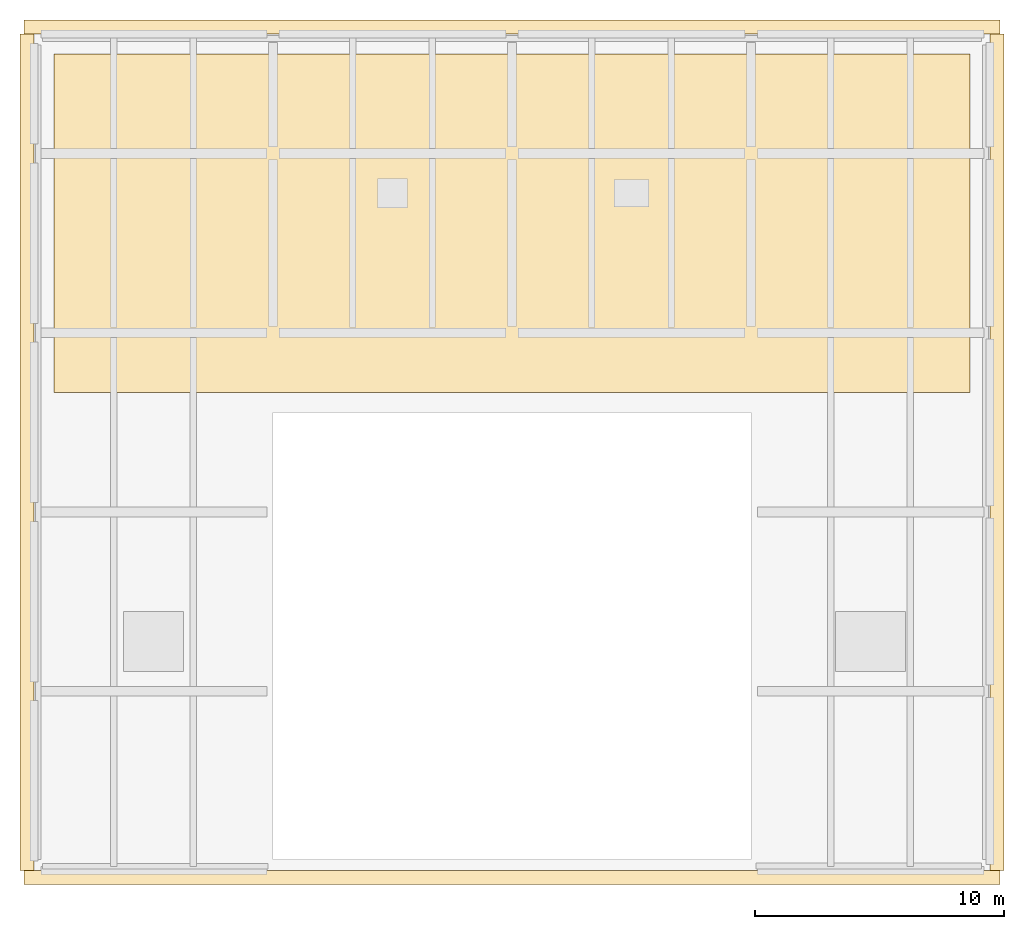
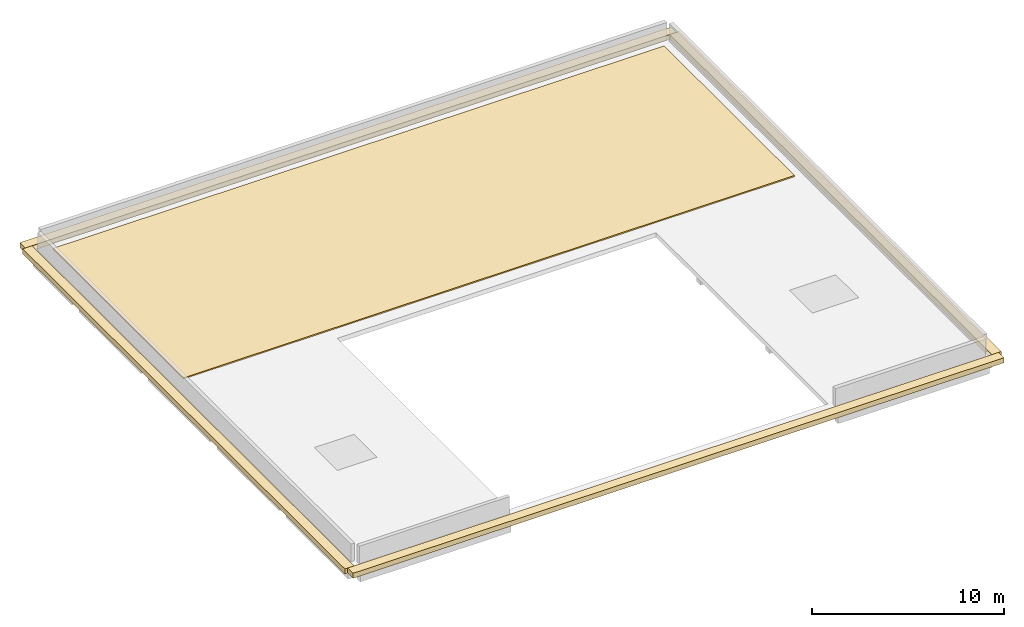
# One storey, part 2 of 2: 5 coverings.
"""IFC4 building model written with IfcOpenShell, lengths in metres."""

from ifc_helpers import new_model, si_unit, direction, frame, origin, origin_2d, place, context, subcontext, project, spatial, polyline, rectangle, outline, extrude, material, layer, layer_set, type_object, element, save


model = new_model("IFC4")

# Units and contexts
model_context = context("Model", 3, precision=1e-05, world=origin(), true_north=direction((0.0, 1.0)))
body_context = subcontext(model_context, "Body", "Model", "MODEL_VIEW")
ifc_project = project(units=[si_unit("LENGTHUNIT", "METRE"), si_unit("AREAUNIT", "SQUARE_METRE"), si_unit("VOLUMEUNIT", "CUBIC_METRE"), si_unit("PLANEANGLEUNIT", "RADIAN"), si_unit("MASSUNIT", "GRAM", prefix="KILO")], contexts=[model_context])

# Site, building, storey
site_placement = place(None, origin())
site = spatial("IfcSite", under=ifc_project, at=site_placement, CompositionType="ELEMENT")
building_placement = place(site_placement, origin())
building = spatial("IfcBuilding", under=site, at=building_placement, Name="Asteropetra Specialist Clinic", CompositionType="ELEMENT")
storey_placement = place(building_placement, frame((0.0, 0.0, 24.820068359375)))
storey = spatial("IfcBuildingStorey", under=building, at=storey_placement, Name="ROOF", CompositionType="ELEMENT", Elevation=24.820068359375)

# Coverings
ifc_material_1 = material(Name="Pentelic marble ashlar", Category="masonry")
ifc_layer_1 = layer(ifc_material_1, 0.159912109375)
ifc_layer_set_1 = layer_set([ifc_layer_1], Name="Pentelic marble ashlar")
covering_type_1 = type_object("IfcCoveringType", Name="CRN-ENTAB-600", PredefinedType="MOLDING", material=ifc_layer_set_1)
for number, where, z_axis, x_axis, name in (
    (1, (19.199951171875, 76.52001953125, -0.2802734375), (0.0, 0.0, 1.0), (1.0, 0.0, 0.0), "Classical Entablature Cornice EC-023"),
    (2, (19.199951171875, 110.679931640625, -0.2802734375), (0.0, 0.0, 1.0), (1.0, 0.0, 0.0), "Classical Entablature Cornice EC-024"),
):
    element("IfcCovering", number, at=place(storey_placement, frame(where, z_axis=z_axis, x_axis=x_axis)), inside=storey, type_object=covering_type_1, Name=name, PredefinedType="MOLDING", context=body_context, shape_type="SweptSolid", body=[
        extrude(rectangle(XDim=39.199951171875, YDim=0.56005859375, at=origin_2d()), origin(), (0.0, 0.0, 1.0), 0.320068359375),
    ])
for number, where, z_axis, x_axis, name in (
    (3, (-0.280029296875, 93.60009765625, -0.2802734375), (0.0, 0.0, 1.0), (1.0, 0.0, 0.0), "Classical Entablature Cornice EC-025"),
    (4, (38.679931640625, 93.60009765625, -0.2802734375), (0.0, 0.0, 1.0), (1.0, 0.0, 0.0), "Classical Entablature Cornice EC-026"),
):
    element("IfcCovering", number, at=place(storey_placement, frame(where, z_axis=z_axis, x_axis=x_axis)), inside=storey, type_object=covering_type_1, Name=name, PredefinedType="MOLDING", context=body_context, shape_type="SweptSolid", body=[
        extrude(rectangle(XDim=0.56005859375, YDim=33.60009765625, at=origin_2d()), origin(), (0.0, 0.0, 1.0), 0.320068359375),
    ])
ifc_material_2 = material(Name="Reflective cool-roof membrane")
ifc_layer_2 = layer(ifc_material_2, 0.080078125)
ifc_layer_set_2 = layer_set([ifc_layer_2], Name="Reflective cool-roof membrane")
covering_type_2 = type_object("IfcCoveringType", Name="RFG-MEMB-FLAT", PredefinedType="ROOFING", material=ifc_layer_set_2)
covering_placement = place(storey_placement, origin())
element("IfcCovering", 5, at=covering_placement, inside=storey, type_object=covering_type_2, Name="Roof Covering RFG-V4-TOP", PredefinedType="ROOFING", context=body_context, shape_type="SweptSolid", body=[
    extrude(outline(polyline([(0.800048828125, 96.0), (37.60009765625, 96.0), (37.60009765625, 109.60009765625), (0.800048828125, 109.60009765625), (0.800048828125, 96.0)])), origin(), (0.0, 0.0, 1.0), 0.079833984375),
])

save(model, "model.ifc")
